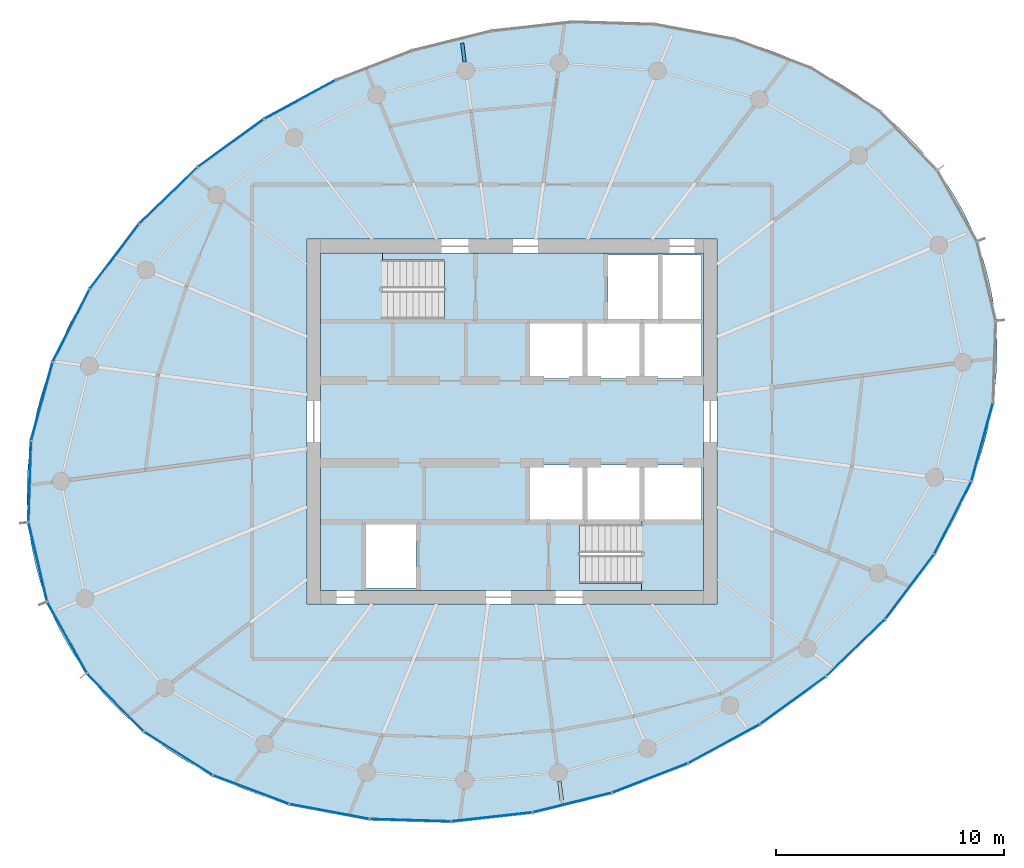
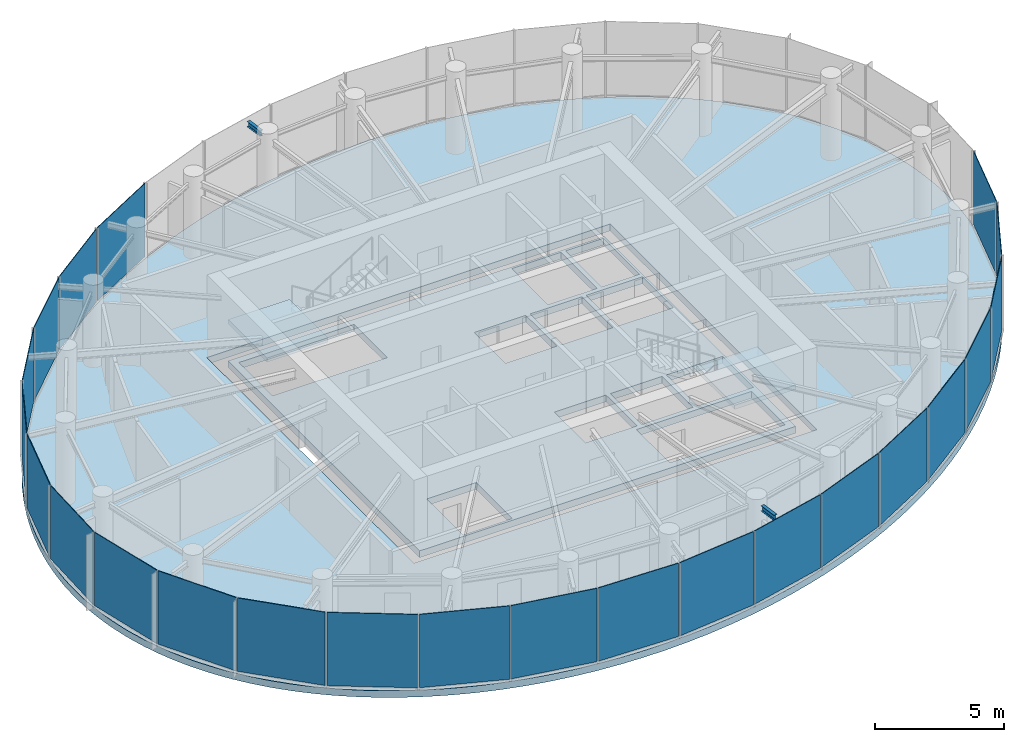
# One storey, part 7 of 13: 23 plates, 4 slabs, 2 beams, 7 elements without a shape of their own.
"""IFC4 building model written with IfcOpenShell, lengths in metres."""

from ifc_helpers import new_model, si_unit, direction, frame, origin, origin_2d, place, context, subcontext, project, spatial, line, indexed_curve, rectangle, i_section, outline, extrude, source, transform, mapped, material, layer, layer_set, material_profile, profile_set, type_object, element, aggregate, save


model = new_model("IFC4")

# Units and contexts
model_context = context("Model", 3, precision=1e-05, world=origin(), true_north=direction((0.0, 1.0)))
body_context = subcontext(model_context, "Body", "Model", "MODEL_VIEW")
ifc_project = project(units=[si_unit("LENGTHUNIT", "METRE"), si_unit("AREAUNIT", "SQUARE_METRE"), si_unit("VOLUMEUNIT", "CUBIC_METRE"), si_unit("PLANEANGLEUNIT", "RADIAN"), si_unit("MASSUNIT", "GRAM", prefix="KILO")], contexts=[model_context])

# Site, building, storey
site_placement = place(None, origin())
site = spatial("IfcSite", under=ifc_project, at=site_placement, CompositionType="ELEMENT")
building_placement = place(site_placement, origin())
building = spatial("IfcBuilding", under=site, at=building_placement, Name="Spindrift Exchange Tower", CompositionType="ELEMENT")
storey_placement = place(building_placement, frame((0.0, 0.0, 242.300048828125)))
storey = spatial("IfcBuildingStorey", under=building, at=storey_placement, Name="L59", CompositionType="ELEMENT", Elevation=242.300048828125)

# Beams
ifc_material_1 = material(Name="Steel Grade 300", Category="steel")
ifc_material_profile = material_profile(ifc_material_1, i_section(OverallWidth=0.14599609375, OverallDepth=0.251953125, WebThickness=0.006103515625, FlangeThickness=0.008544921875, FilletRadius=0.011962890625, at=origin_2d()), Name="250UB31.4")
ifc_profile_set = profile_set([ifc_material_profile], Name="Steel Grade 300")
beam_type = type_object("IfcBeamType", Name="Cantilever Beam 250UB31.4 Steel Grade 300", PredefinedType="BEAM", material=ifc_profile_set)
shared_shape_1 = source(origin(), body_context, "Body", "SweptSolid", [
    extrude(i_section(OverallWidth=0.14599609375, OverallDepth=0.251953125, WebThickness=0.006103515625, FlangeThickness=0.008544921875, FilletRadius=0.011962890625, at=origin_2d()), origin(), (0.0, 0.0, 1.0), 0.82958984375),
])
for number, where, z_axis, x_axis, name in (
    (1, (49.923583984375, 63.772705078125, 3.453857421875), (-0.130660044583, 0.991427230184, 0.0), (-0.991427230184, -0.130660044583, 0.0), "L59 cantilever beam R07T"),
    (2, (54.076416015625, 32.227294921875, 3.453857421875), (0.130660044583, -0.991427230184, 0.0), (0.991427230184, 0.130660044583, 0.0), "L59 cantilever beam R19T"),
):
    element("IfcBeam", number, at=place(storey_placement, frame(where, z_axis=z_axis, x_axis=x_axis)), inside=storey, type_object=beam_type, Name=name, PredefinedType="BEAM", context=body_context, shape_type="MappedRepresentation", body=[
        mapped(shared_shape_1, transform((0.0, 0.0, 0.0), scale=1.0)),
    ])

# Slabs
ifc_material_2 = material(Name="Concrete 40 MPa", Category="concrete")
ifc_layer_1 = layer(ifc_material_2, 0.320068359375)
ifc_layer_set_1 = layer_set([ifc_layer_1], Name="RC Floor Slab 320 Concrete 40 MPa")
slab_type_1 = type_object("IfcSlabType", Name="RC Floor Slab 320 Concrete 40 MPa", PredefinedType="FLOOR", material=ifc_layer_set_1)
slab_1_placement = place(storey_placement, frame((0.0, 0.0, -0.320068359375)))
element("IfcSlab", 3, at=slab_1_placement, inside=storey, type_object=slab_type_1, Name="Floor slab L59", PredefinedType="FLOOR", context=body_context, shape_type="SweptSolid", body=[
    extrude(outline(indexed_curve([(72.3828125, 55.898193359375), (72.121337890625, 56.523681640625), (71.82763671875, 57.134521484375), (71.6689453125, 57.433837890625), (71.32861328125, 58.02001953125), (70.95849609375, 58.587890625), (70.762939453125, 58.86474609375), (70.35107421875, 59.40283203125), (69.9130859375, 59.920166015625), (69.6845703125, 60.170654296875), (69.210205078125, 60.65478515625), (68.96484375, 60.888427734375), (68.457763671875, 61.33837890625), (67.930908203125, 61.764892578125), (67.660400390625, 61.96923828125), (67.106689453125, 62.360107421875), (66.537109375, 62.727294921875), (66.24658203125, 62.902099609375), (65.655517578125, 63.233642578125), (65.0517578125, 63.541748046875), (64.74560546875, 63.68701171875), (64.125244140625, 63.960205078125), (63.811279296875, 64.08837890625), (63.177001953125, 64.3271484375), (62.856689453125, 64.438232421875), (62.210693359375, 64.643798828125), (61.885498046875, 64.73828125), (61.22998046875, 64.910888671875), (60.569091796875, 65.062255859375), (60.237060546875, 65.130126953125), (59.904052734375, 65.192626953125), (59.235107421875, 65.302490234375), (58.8994140625, 65.349853515625), (58.226318359375, 65.429443359375), (57.212890625, 65.51220703125), (56.197021484375, 65.552001953125), (55.180419921875, 65.5498046875), (54.164306640625, 65.506591796875), (53.151123046875, 65.423828125), (52.1416015625, 65.302001953125), (51.137451171875, 65.142333984375), (50.139892578125, 64.9453125), (49.150390625, 64.7119140625), (48.169921875, 64.44287109375), (47.52197265625, 64.243896484375), (46.87890625, 64.029296875), (45.924560546875, 63.678955078125), (44.983154296875, 63.294921875), (44.363525390625, 63.02001953125), (43.75048828125, 62.73046875), (42.8447265625, 62.2685546875), (41.956298828125, 61.774169921875), (41.08642578125, 61.24755859375), (40.23681640625, 60.689208984375), (39.408935546875, 60.098876953125), (38.6044921875, 59.477294921875), (37.824951171875, 58.824462890625), (37.072021484375, 58.14111328125), (36.34814453125, 57.42724609375), (35.655029296875, 56.68310546875), (35.21142578125, 56.1708984375), (34.995361328125, 55.90966796875), (34.783203125, 55.6455078125), (34.37109375, 55.107177734375), (34.17138671875, 54.833251953125), (33.78515625, 54.276123046875), (33.598876953125, 53.9931640625), (33.240478515625, 53.417724609375), (32.901611328125, 52.830810546875), (32.73974609375, 52.532958984375), (32.583251953125, 52.232421875), (32.286376953125, 51.622802734375), (32.146484375, 51.314208984375), (31.8837890625, 50.689453125), (31.645263671875, 50.054931640625), (31.535400390625, 49.734375), (31.335205078125, 49.086669921875), (31.16162109375, 48.431396484375), (31.015869140625, 47.76953125), (30.95361328125, 47.436279296875), (30.851806640625, 46.76611328125), (30.7802734375, 46.09228515625), (30.756103515625, 45.754150390625), (30.73193359375, 45.07666015625), (30.740478515625, 44.39892578125), (30.757080078125, 44.060546875), (30.815185546875, 43.38525390625), (30.907470703125, 42.713623046875), (30.96630859375, 42.3798828125), (31.10986328125, 41.717529296875), (31.1943359375, 41.389404296875), (31.388916015625, 40.739990234375), (31.6171875, 40.101806640625), (31.878662109375, 39.476318359375), (32.17236328125, 38.865478515625), (32.3310546875, 38.566162109375), (32.67138671875, 37.97998046875), (33.04150390625, 37.412109375), (33.237060546875, 37.13525390625), (33.64892578125, 36.59716796875), (34.0869140625, 36.079833984375), (34.3154296875, 35.829345703125), (34.789794921875, 35.34521484375), (35.03515625, 35.111572265625), (35.542236328125, 34.66162109375), (36.069091796875, 34.235107421875), (36.339599609375, 34.03076171875), (36.893310546875, 33.639892578125), (37.462890625, 33.272705078125), (37.75341796875, 33.097900390625), (38.344482421875, 32.766357421875), (38.9482421875, 32.458251953125), (39.25439453125, 32.31298828125), (39.874755859375, 32.039794921875), (40.188720703125, 31.91162109375), (40.822998046875, 31.6728515625), (41.143310546875, 31.561767578125), (41.789306640625, 31.356201171875), (42.114501953125, 31.26171875), (42.77001953125, 31.089111328125), (43.430908203125, 30.937744140625), (43.762939453125, 30.869873046875), (44.095947265625, 30.807373046875), (44.764892578125, 30.697509765625), (45.1005859375, 30.650146484375), (45.773681640625, 30.570556640625), (46.787109375, 30.48779296875), (47.802978515625, 30.447998046875), (48.819580078125, 30.4501953125), (49.835693359375, 30.493408203125), (50.848876953125, 30.576171875), (51.8583984375, 30.697998046875), (52.862548828125, 30.857666015625), (53.860107421875, 31.0546875), (54.849609375, 31.2880859375), (55.830078125, 31.55712890625), (56.47802734375, 31.756103515625), (57.12109375, 31.970703125), (58.075439453125, 32.321044921875), (59.016845703125, 32.705078125), (59.636474609375, 32.97998046875), (60.24951171875, 33.26953125), (61.1552734375, 33.7314453125), (62.043701171875, 34.225830078125), (62.91357421875, 34.75244140625), (63.76318359375, 35.310791015625), (64.591064453125, 35.901123046875), (65.3955078125, 36.522705078125), (66.175048828125, 37.175537109375), (66.927978515625, 37.85888671875), (67.65185546875, 38.57275390625), (68.344970703125, 39.31689453125), (68.78857421875, 39.8291015625), (69.004638671875, 40.09033203125), (69.216796875, 40.3544921875), (69.62890625, 40.892822265625), (69.82861328125, 41.166748046875), (70.21484375, 41.723876953125), (70.401123046875, 42.0068359375), (70.759521484375, 42.582275390625), (71.098388671875, 43.169189453125), (71.26025390625, 43.467041015625), (71.416748046875, 43.767578125), (71.713623046875, 44.377197265625), (71.853515625, 44.685791015625), (72.1162109375, 45.310546875), (72.354736328125, 45.945068359375), (72.464599609375, 46.265625), (72.664794921875, 46.913330078125), (72.83837890625, 47.568603515625), (72.984130859375, 48.23046875), (73.04638671875, 48.563720703125), (73.148193359375, 49.23388671875), (73.2197265625, 49.90771484375), (73.243896484375, 50.245849609375), (73.26806640625, 50.92333984375), (73.259521484375, 51.60107421875), (73.242919921875, 51.939453125), (73.184814453125, 52.61474609375), (73.092529296875, 53.286376953125), (73.03369140625, 53.6201171875), (72.89013671875, 54.282470703125), (72.8056640625, 54.610595703125), (72.611083984375, 55.260009765625)], segments=[line(1, 2, 3, 4, 5, 6, 7, 8, 9, 10, 11, 12, 13, 14, 15, 16, 17, 18, 19, 20, 21, 22, 23, 24, 25, 26, 27, 28, 29, 30, 31, 32, 33, 34, 35, 36, 37, 38, 39, 40, 41, 42, 43, 44, 45, 46, 47, 48, 49, 50, 51, 52, 53, 54, 55, 56, 57, 58, 59, 60, 61, 62, 63, 64, 65, 66, 67, 68, 69, 70, 71, 72, 73, 74, 75, 76, 77, 78, 79, 80, 81, 82, 83, 84, 85, 86, 87, 88, 89, 90, 91, 92, 93, 94, 95, 96, 97, 98, 99, 100, 101, 102, 103, 104, 105, 106, 107, 108, 109, 110, 111, 112, 113, 114, 115, 116, 117, 118, 119, 120, 121, 122, 123, 124, 125, 126, 127, 128, 129, 130, 131, 132, 133, 134, 135, 136, 137, 138, 139, 140, 141, 142, 143, 144, 145, 146, 147, 148, 149, 150, 151, 152, 153, 154, 155, 156, 157, 158, 159, 160, 161, 162, 163, 164, 165, 166, 167, 168, 169, 170, 171, 172, 173, 174, 175, 176, 177, 178, 179, 180, 181, 182, 183, 184, 1)], self_intersect=False), holes=[indexed_curve([(43.0, 40.0), (61.0, 40.0), (61.0, 56.0), (43.0, 56.0)], segments=[line(1, 2, 3, 4, 1)], self_intersect=False)]), origin(), (0.0, 0.0, 1.0), 0.320068359375),
])
ifc_material_3 = material(Name="Concrete 50 MPa", Category="concrete")
ifc_layer_2 = layer(ifc_material_3, 0.320068359375)
ifc_layer_set_2 = layer_set([ifc_layer_2], Name="SL-CORE-FLOOR-320")
slab_type_2 = type_object("IfcSlabType", Name="SL-CORE-FLOOR-320", PredefinedType="FLOOR", material=ifc_layer_set_2)
slab_2_placement = place(storey_placement, frame((0.0, 0.0, -0.320068359375)))
element("IfcSlab", 4, at=slab_2_placement, inside=storey, type_object=slab_type_2, Name="L59 Core floor slab", PredefinedType="FLOOR", context=body_context, shape_type="SweptSolid", body=[
    extrude(outline(indexed_curve([(43.60009765625, 40.60009765625), (43.60009765625, 55.39990234375), (60.39990234375, 55.39990234375), (60.39990234375, 40.60009765625)], segments=[line(1, 2, 3, 4, 1)], self_intersect=False), holes=[indexed_curve([(45.60009765625, 43.5), (45.60009765625, 40.699951171875), (47.800048828125, 40.699951171875), (47.800048828125, 43.5)], segments=[line(1, 2, 3, 4, 1)], self_intersect=False), indexed_curve([(52.800048828125, 46.10009765625), (52.800048828125, 43.699951171875), (55.10009765625, 43.699951171875), (55.10009765625, 46.10009765625)], segments=[line(1, 2, 3, 4, 1)], self_intersect=False), indexed_curve([(55.300048828125, 46.10009765625), (55.300048828125, 43.699951171875), (57.60009765625, 43.699951171875), (57.60009765625, 46.10009765625)], segments=[line(1, 2, 3, 4, 1)], self_intersect=False), indexed_curve([(55.10009765625, 52.300048828125), (52.800048828125, 52.300048828125), (52.800048828125, 49.89990234375), (55.10009765625, 49.89990234375)], segments=[line(1, 2, 3, 4, 1)], self_intersect=False), indexed_curve([(57.60009765625, 52.300048828125), (55.300048828125, 52.300048828125), (55.300048828125, 49.89990234375), (57.60009765625, 49.89990234375)], segments=[line(1, 2, 3, 4, 1)], self_intersect=False), indexed_curve([(43.906005859375, 52.506103515625), (49.0439453125, 52.506103515625), (49.0439453125, 55.093994140625), (43.906005859375, 55.093994140625)], segments=[line(1, 2, 3, 4, 1)], self_intersect=False), indexed_curve([(60.093994140625, 40.906005859375), (60.093994140625, 43.493896484375), (54.9560546875, 43.493896484375), (54.9560546875, 40.906005859375)], segments=[line(1, 2, 3, 4, 1)], self_intersect=False), indexed_curve([(60.300048828125, 46.10009765625), (57.800048828125, 46.10009765625), (57.800048828125, 43.699951171875), (60.300048828125, 43.699951171875)], segments=[line(1, 2, 3, 4, 1)], self_intersect=False), indexed_curve([(57.800048828125, 52.300048828125), (57.800048828125, 49.89990234375), (60.300048828125, 49.89990234375), (60.300048828125, 52.300048828125)], segments=[line(1, 2, 3, 4, 1)], self_intersect=False), indexed_curve([(58.39990234375, 55.300048828125), (56.199951171875, 55.300048828125), (56.199951171875, 52.5), (58.39990234375, 52.5)], segments=[line(1, 2, 3, 4, 1)], self_intersect=False), indexed_curve([(60.300048828125, 55.300048828125), (58.60009765625, 55.300048828125), (58.60009765625, 52.5), (60.300048828125, 52.5)], segments=[line(1, 2, 3, 4, 1)], self_intersect=False)]), origin(), (0.0, 0.0, 1.0), 0.320068359375),
])

# Stair, slab
stair_type = type_object("IfcStairType", Name="ST-1250-R177", PredefinedType="HALF_TURN_STAIR", material=ifc_material_3)
stair_1_placement = place(storey_placement, origin())
stair_1 = element("IfcStair", 5, at=stair_1_placement, inside=storey, type_object=stair_type, Name="L59 Exit stair ST1", PredefinedType="HALF_TURN_STAIR")
ifc_layer_3 = layer(ifc_material_3, 0.199951171875)
ifc_layer_set_3 = layer_set([ifc_layer_3], Name="SL-LANDING")
slab_type_3 = type_object("IfcSlabType", Name="SL-LANDING", PredefinedType="LANDING", material=ifc_layer_set_3)
slab_3_placement = place(storey_placement, frame((0.0, 0.0, 1.75)))
slab_3 = element("IfcSlab", 6, at=slab_3_placement, type_object=slab_type_3, Name="ST1 landing 1", PredefinedType="LANDING", context=body_context, shape_type="SweptSolid", body=[
    extrude(outline(indexed_curve([(46.330078125, 52.39990234375), (43.60009765625, 52.39990234375), (43.60009765625, 55.39990234375), (46.330078125, 55.39990234375)], segments=[line(1, 2, 3, 4, 1)], self_intersect=False)), origin(), (0.0, 0.0, 1.0), 0.199951171875),
])
aggregate(stair_1, [slab_3])

stair_2_placement = place(storey_placement, origin())
stair_2 = element("IfcStair", 7, at=stair_2_placement, inside=storey, type_object=stair_type, Name="L59 Exit stair ST2", PredefinedType="HALF_TURN_STAIR")
slab_4_placement = place(storey_placement, frame((0.0, 0.0, 1.75)))
slab_4 = element("IfcSlab", 8, at=slab_4_placement, type_object=slab_type_3, Name="ST2 landing 1", PredefinedType="LANDING", context=body_context, shape_type="SweptSolid", body=[
    extrude(outline(indexed_curve([(57.669921875, 43.60009765625), (60.39990234375, 43.60009765625), (60.39990234375, 40.60009765625), (57.669921875, 40.60009765625)], segments=[line(1, 2, 3, 4, 1)], self_intersect=False)), origin(), (0.0, 0.0, 1.0), 0.199951171875),
])
aggregate(stair_2, [slab_4])

# Curtain wall, plate
ifc_material_4 = material(Name="Fritted laminated glass with bronze frame", Category="glass")
ifc_layer_4 = layer(ifc_material_4, 0.159912109375)
ifc_layer_set_4 = layer_set([ifc_layer_4], Name="ZONE 5 BRONZE FRITTED WALL")
curtain_wall_type = type_object("IfcCurtainWallType", Name="ZONE 5 BRONZE FRITTED WALL", PredefinedType="NOTDEFINED", material=ifc_layer_set_4)
curtain_wall_1_placement = place(storey_placement, origin())
curtain_wall_1 = element("IfcCurtainWall", 9, at=curtain_wall_1_placement, inside=storey, type_object=curtain_wall_type, Name="L59 Zone 5 Bronze Fritted Wall run 5", PredefinedType="NOTDEFINED")
ifc_material_5 = material(Name="Bronze fritted laminated glass, open frit", Category="glass")
ifc_layer_5 = layer(ifc_material_5, 0.028076171875)
ifc_layer_set_5 = layer_set([ifc_layer_5], Name="ZONE 5 BRONZE FRITTED WALL PANEL OPEN FRIT 360")
plate_type_1 = type_object("IfcPlateType", Name="ZONE 5 BRONZE FRITTED WALL PANEL OPEN FRIT 360", PredefinedType="CURTAIN_PANEL", material=ifc_layer_set_5)
shared_shape_2 = source(origin(), body_context, "Body", "SweptSolid", [
    extrude(rectangle(XDim=3.5263671875, YDim=0.028076171875, at=origin_2d()), origin(), (0.0, 0.0, 1.0), 3.4599609375),
])
plate_1_placement = place(storey_placement, frame((61.303466796875, 33.87646484375, 0.119873046875), z_axis=(0.0, 0.0, 1.0), x_axis=(0.87909511824, 0.476646381593, 0.0)))
plate_1 = element("IfcPlate", 10, at=plate_1_placement, type_object=plate_type_1, Name="L59 panel CW-5.27", PredefinedType="CURTAIN_PANEL", context=body_context, shape_type="MappedRepresentation", body=[
    mapped(shared_shape_2, transform((0.0, 0.0, 0.0), scale=1.0)),
])

curtain_wall_2_placement = place(storey_placement, origin())
curtain_wall_2 = element("IfcCurtainWall", 11, at=curtain_wall_2_placement, inside=storey, type_object=curtain_wall_type, Name="L59 Zone 5 Bronze Fritted Wall run 2", PredefinedType="NOTDEFINED")
ifc_layer_6 = layer(ifc_material_5, 0.028076171875)
ifc_layer_set_6 = layer_set([ifc_layer_6], Name="ZONE 5 BRONZE FRITTED WALL PANEL OPEN FRIT 600")
plate_type_2 = type_object("IfcPlateType", Name="ZONE 5 BRONZE FRITTED WALL PANEL OPEN FRIT 600", PredefinedType="CURTAIN_PANEL", material=ifc_layer_set_6)
shared_shape_3 = source(origin(), body_context, "Body", "SweptSolid", [
    extrude(rectangle(XDim=3.5263671875, YDim=0.028076171875, at=origin_2d()), origin(), (0.0, 0.0, 1.0), 3.4599609375),
])
plate_2_placement = place(storey_placement, frame((42.696533203125, 62.12353515625, 0.119873046875), z_axis=(0.0, 0.0, 1.0), x_axis=(-0.87909511824, -0.476646381593, 0.0)))
plate_2 = element("IfcPlate", 12, at=plate_2_placement, type_object=plate_type_2, Name="L59 panel CW-5.10", PredefinedType="CURTAIN_PANEL", context=body_context, shape_type="MappedRepresentation", body=[
    mapped(shared_shape_3, transform((0.0, 0.0, 0.0), scale=1.0)),
])

# Plate
plate_3_placement = place(storey_placement, frame((58.05517578125, 32.373779296875, 0.119873046875), z_axis=(0.0, 0.0, 1.0), x_axis=(0.932444930423, 0.361312125079, 0.0)))
plate_3 = element("IfcPlate", 13, at=plate_3_placement, type_object=plate_type_2, Name="L59 panel CW-5.26", PredefinedType="CURTAIN_PANEL", context=body_context, shape_type="MappedRepresentation", body=[
    mapped(shared_shape_3, transform((0.0, 0.0, 0.0), scale=1.0)),
])

shared_shape_4 = source(origin(), body_context, "Body", "SweptSolid", [
    extrude(rectangle(XDim=3.526123046875, YDim=0.028076171875, at=origin_2d()), origin(), (0.0, 0.0, 1.0), 3.4599609375),
])
plate_4_placement = place(storey_placement, frame((54.642333984375, 31.29541015625, 0.119873046875), z_axis=(0.0, 0.0, 1.0), x_axis=(0.970738279986, 0.240139942055, 0.0)))
plate_4 = element("IfcPlate", 14, at=plate_4_placement, type_object=plate_type_2, Name="L59 panel CW-5.25", PredefinedType="CURTAIN_PANEL", context=body_context, shape_type="MappedRepresentation", body=[
    mapped(shared_shape_4, transform((0.0, 0.0, 0.0), scale=1.0)),
])

shared_shape_5 = source(origin(), body_context, "Body", "SweptSolid", [
    extrude(rectangle(XDim=3.525390625, YDim=0.028076171875, at=origin_2d()), origin(), (0.0, 0.0, 1.0), 3.4599609375),
])
plate_5_placement = place(storey_placement, frame((36.930419921875, 57.914794921875, 0.119873046875), z_axis=(0.0, 0.0, 1.0), x_axis=(-0.718778220827, -0.695239433048, 0.0)))
plate_5 = element("IfcPlate", 15, at=plate_5_placement, type_object=plate_type_2, Name="L59 panel CW-5.12", PredefinedType="CURTAIN_PANEL", context=body_context, shape_type="MappedRepresentation", body=[
    mapped(shared_shape_5, transform((0.0, 0.0, 0.0), scale=1.0)),
])

# Curtain wall, plates
curtain_wall_3_placement = place(storey_placement, origin())
curtain_wall_3 = element("IfcCurtainWall", 16, at=curtain_wall_3_placement, inside=storey, type_object=curtain_wall_type, Name="L59 Zone 5 Bronze Fritted Wall run 3", PredefinedType="NOTDEFINED")
ifc_layer_7 = layer(ifc_material_5, 0.028076171875)
ifc_layer_set_7 = layer_set([ifc_layer_7], Name="ZONE 5 BRONZE FRITTED WALL PANEL OPEN FRIT 480")
plate_type_3 = type_object("IfcPlateType", Name="ZONE 5 BRONZE FRITTED WALL PANEL OPEN FRIT 480", PredefinedType="CURTAIN_PANEL", material=ifc_layer_set_7)
shared_shape_6 = source(origin(), body_context, "Body", "SweptSolid", [
    extrude(rectangle(XDim=3.5234375, YDim=0.028076171875, at=origin_2d()), origin(), (0.0, 0.0, 1.0), 3.4599609375),
])
plate_6_placement = place(storey_placement, frame((32.667724609375, 52.2119140625, 0.119873046875), z_axis=(0.0, 0.0, 1.0), x_axis=(-0.453842759023, -0.891081786416, 0.0)))
plate_6 = element("IfcPlate", 17, at=plate_6_placement, type_object=plate_type_3, Name="L59 panel CW-5.14", PredefinedType="CURTAIN_PANEL", context=body_context, shape_type="MappedRepresentation", body=[
    mapped(shared_shape_6, transform((0.0, 0.0, 0.0), scale=1.0)),
])
shared_shape_7 = source(origin(), body_context, "Body", "SweptSolid", [
    extrude(rectangle(XDim=3.517578125, YDim=0.028076171875, at=origin_2d()), origin(), (0.0, 0.0, 1.0), 3.4599609375),
])
plate_7_placement = place(storey_placement, frame((31.2060546875, 41.842529296875, 0.119873046875), z_axis=(0.0, 0.0, 1.0), x_axis=(0.229959714774, -0.973200148778, 0.0)))
plate_7 = element("IfcPlate", 18, at=plate_7_placement, type_object=plate_type_3, Name="L59 panel CW-5.17", PredefinedType="CURTAIN_PANEL", context=body_context, shape_type="MappedRepresentation", body=[
    mapped(shared_shape_7, transform((0.0, 0.0, 0.0), scale=1.0)),
])
shared_shape_8 = source(origin(), body_context, "Body", "SweptSolid", [
    extrude(rectangle(XDim=3.519287109375, YDim=0.028076171875, at=origin_2d()), origin(), (0.0, 0.0, 1.0), 3.4599609375),
])
plate_8_placement = place(storey_placement, frame((30.851318359375, 45.372314453125, 0.119873046875), z_axis=(0.0, 0.0, 1.0), x_axis=(-0.031738717372, -0.999496200003, 0.0)))
plate_8 = element("IfcPlate", 19, at=plate_8_placement, type_object=plate_type_1, Name="L59 panel CW-5.16", PredefinedType="CURTAIN_PANEL", context=body_context, shape_type="MappedRepresentation", body=[
    mapped(shared_shape_8, transform((0.0, 0.0, 0.0), scale=1.0)),
])

# Curtain wall, plate
curtain_wall_4_placement = place(storey_placement, origin())
curtain_wall_4 = element("IfcCurtainWall", 20, at=curtain_wall_4_placement, inside=storey, type_object=curtain_wall_type, Name="L59 Zone 5 Bronze Fritted Wall run 4", PredefinedType="NOTDEFINED")
plate_9_placement = place(storey_placement, frame((34.6025390625, 35.69140625, 0.119873046875), z_axis=(0.0, 0.0, 1.0), x_axis=(0.696921069697, -0.717147838742, 0.0)))
plate_9 = element("IfcPlate", 21, at=plate_9_placement, type_object=plate_type_1, Name="L59 panel CW-5.19", PredefinedType="CURTAIN_PANEL", context=body_context, shape_type="MappedRepresentation", body=[
    mapped(shared_shape_8, transform((0.0, 0.0, 0.0), scale=1.0)),
])

# Curtain wall, plates
curtain_wall_5_placement = place(storey_placement, origin())
curtain_wall_5 = element("IfcCurtainWall", 22, at=curtain_wall_5_placement, inside=storey, type_object=curtain_wall_type, Name="L59 Zone 5 Bronze Fritted Wall run 6", PredefinedType="NOTDEFINED")
shared_shape_9 = source(origin(), body_context, "Body", "SweptSolid", [
    extrude(rectangle(XDim=3.521484375, YDim=0.028076171875, at=origin_2d()), origin(), (0.0, 0.0, 1.0), 3.4599609375),
])
plate_10_placement = place(storey_placement, frame((72.61865234375, 47.112060546875, 0.119873046875), z_axis=(0.0, 0.0, 1.0), x_axis=(0.264213094555, 0.964464328353, 0.0)))
plate_10 = element("IfcPlate", 23, at=plate_10_placement, type_object=plate_type_2, Name="L59 panel CW-5.32", PredefinedType="CURTAIN_PANEL", context=body_context, shape_type="MappedRepresentation", body=[
    mapped(shared_shape_9, transform((0.0, 0.0, 0.0), scale=1.0)),
])
shared_shape_10 = source(origin(), body_context, "Body", "SweptSolid", [
    extrude(rectangle(XDim=3.5234375, YDim=0.028076171875, at=origin_2d()), origin(), (0.0, 0.0, 1.0), 3.4599609375),
])
plate_11_placement = place(storey_placement, frame((71.332275390625, 43.7880859375, 0.119873046875), z_axis=(0.0, 0.0, 1.0), x_axis=(0.453842759023, 0.891081786416, 0.0)))
plate_11 = element("IfcPlate", 24, at=plate_11_placement, type_object=plate_type_1, Name="L59 panel CW-5.31", PredefinedType="CURTAIN_PANEL", context=body_context, shape_type="MappedRepresentation", body=[
    mapped(shared_shape_10, transform((0.0, 0.0, 0.0), scale=1.0)),
])
aggregate(curtain_wall_5, [plate_11, plate_10])

# Plate
shared_shape_11 = source(origin(), body_context, "Body", "SweptSolid", [
    extrude(rectangle(XDim=3.525390625, YDim=0.028076171875, at=origin_2d()), origin(), (0.0, 0.0, 1.0), 3.4599609375),
])
plate_12_placement = place(storey_placement, frame((47.5458984375, 30.52001953125, 0.119873046875), z_axis=(0.0, 0.0, 1.0), x_axis=(0.999567849035, -0.029395836038, 0.0)))
plate_12 = element("IfcPlate", 25, at=plate_12_placement, type_object=plate_type_3, Name="L59 panel CW-5.23", PredefinedType="CURTAIN_PANEL", context=body_context, shape_type="MappedRepresentation", body=[
    mapped(shared_shape_11, transform((0.0, 0.0, 0.0), scale=1.0)),
])

plate_13_placement = place(storey_placement, frame((67.069580078125, 38.085205078125, 0.119873046875), z_axis=(0.0, 0.0, 1.0), x_axis=(0.718778220827, 0.695239433048, 0.0)))
plate_13 = element("IfcPlate", 26, at=plate_13_placement, type_object=plate_type_3, Name="L59 panel CW-5.29", PredefinedType="CURTAIN_PANEL", context=body_context, shape_type="MappedRepresentation", body=[
    mapped(shared_shape_11, transform((0.0, 0.0, 0.0), scale=1.0)),
])

shared_shape_12 = source(origin(), body_context, "Body", "SweptSolid", [
    extrude(rectangle(XDim=3.52587890625, YDim=0.028076171875, at=origin_2d()), origin(), (0.0, 0.0, 1.0), 3.4599609375),
])
plate_14_placement = place(storey_placement, frame((39.669677734375, 60.215087890625, 0.119873046875), z_axis=(0.0, 0.0, 1.0), x_axis=(-0.809026227184, -0.587772544211, 0.0)))
plate_14 = element("IfcPlate", 27, at=plate_14_placement, type_object=plate_type_2, Name="L59 panel CW-5.11", PredefinedType="CURTAIN_PANEL", context=body_context, shape_type="MappedRepresentation", body=[
    mapped(shared_shape_12, transform((0.0, 0.0, 0.0), scale=1.0)),
])

aggregate(curtain_wall_2, [plate_2, plate_14, plate_5])

shared_shape_13 = source(origin(), body_context, "Body", "SweptSolid", [
    extrude(rectangle(XDim=3.52490234375, YDim=0.028076171875, at=origin_2d()), origin(), (0.0, 0.0, 1.0), 3.4599609375),
])
plate_15_placement = place(storey_placement, frame((34.561279296875, 55.23828125, 0.119873046875), z_axis=(0.0, 0.0, 1.0), x_axis=(-0.602857133679, -0.797849156402, 0.0)))
plate_15 = element("IfcPlate", 28, at=plate_15_placement, type_object=plate_type_1, Name="L59 panel CW-5.13", PredefinedType="CURTAIN_PANEL", context=body_context, shape_type="MappedRepresentation", body=[
    mapped(shared_shape_13, transform((0.0, 0.0, 0.0), scale=1.0)),
])

shared_shape_14 = source(origin(), body_context, "Body", "SweptSolid", [
    extrude(rectangle(XDim=3.521484375, YDim=0.028076171875, at=origin_2d()), origin(), (0.0, 0.0, 1.0), 3.4599609375),
])
plate_16_placement = place(storey_placement, frame((31.38134765625, 48.887939453125, 0.119873046875), z_axis=(0.0, 0.0, 1.0), x_axis=(-0.264213094555, -0.964464328353, 0.0)))
plate_16 = element("IfcPlate", 29, at=plate_16_placement, type_object=plate_type_3, Name="L59 panel CW-5.15", PredefinedType="CURTAIN_PANEL", context=body_context, shape_type="MappedRepresentation", body=[
    mapped(shared_shape_14, transform((0.0, 0.0, 0.0), scale=1.0)),
])

plate_17_placement = place(storey_placement, frame((37.36328125, 33.45068359375, 0.119873046875), z_axis=(0.0, 0.0, 1.0), x_axis=(0.845097652087, -0.534611969971, 0.0)))
plate_17 = element("IfcPlate", 30, at=plate_17_placement, type_object=plate_type_3, Name="L59 panel CW-5.20", PredefinedType="CURTAIN_PANEL", context=body_context, shape_type="MappedRepresentation", body=[
    mapped(shared_shape_14, transform((0.0, 0.0, 0.0), scale=1.0)),
])

shared_shape_15 = source(origin(), body_context, "Body", "SweptSolid", [
    extrude(rectangle(XDim=3.517578125, YDim=0.028076171875, at=origin_2d()), origin(), (0.0, 0.0, 1.0), 3.4599609375),
])
plate_18_placement = place(storey_placement, frame((32.486328125, 38.538330078125, 0.119873046875), z_axis=(0.0, 0.0, 1.0), x_axis=(0.485842721639, -0.87404625154, 0.0)))
plate_18 = element("IfcPlate", 31, at=plate_18_placement, type_object=plate_type_2, Name="L59 panel CW-5.18", PredefinedType="CURTAIN_PANEL", context=body_context, shape_type="MappedRepresentation", body=[
    mapped(shared_shape_15, transform((0.0, 0.0, 0.0), scale=1.0)),
])

aggregate(curtain_wall_3, [plate_15, plate_6, plate_16, plate_8, plate_7, plate_18])

shared_shape_16 = source(origin(), body_context, "Body", "SweptSolid", [
    extrude(rectangle(XDim=3.5234375, YDim=0.028076171875, at=origin_2d()), origin(), (0.0, 0.0, 1.0), 3.4599609375),
])
plate_19_placement = place(storey_placement, frame((40.55322265625, 31.861572265625, 0.119873046875), z_axis=(0.0, 0.0, 1.0), x_axis=(0.935776142119, -0.35259468493, 0.0)))
plate_19 = element("IfcPlate", 32, at=plate_19_placement, type_object=plate_type_2, Name="L59 panel CW-5.21", PredefinedType="CURTAIN_PANEL", context=body_context, shape_type="MappedRepresentation", body=[
    mapped(shared_shape_16, transform((0.0, 0.0, 0.0), scale=1.0)),
])

shared_shape_17 = source(origin(), body_context, "Body", "SweptSolid", [
    extrude(rectangle(XDim=3.524658203125, YDim=0.028076171875, at=origin_2d()), origin(), (0.0, 0.0, 1.0), 3.4599609375),
])
plate_20_placement = place(storey_placement, frame((43.99169921875, 30.901123046875, 0.119873046875), z_axis=(0.0, 0.0, 1.0), x_axis=(0.983050095199, -0.183337149342, 0.0)))
plate_20 = element("IfcPlate", 33, at=plate_20_placement, type_object=plate_type_3, Name="L59 panel CW-5.22", PredefinedType="CURTAIN_PANEL", context=body_context, shape_type="MappedRepresentation", body=[
    mapped(shared_shape_17, transform((0.0, 0.0, 0.0), scale=1.0)),
])

shared_shape_18 = source(origin(), body_context, "Body", "SweptSolid", [
    extrude(rectangle(XDim=3.52587890625, YDim=0.028076171875, at=origin_2d()), origin(), (0.0, 0.0, 1.0), 3.4599609375),
])
plate_21_placement = place(storey_placement, frame((51.11962890625, 30.666015625, 0.119873046875), z_axis=(0.0, 0.0, 1.0), x_axis=(0.993837374063, 0.110847976593, 0.0)))
plate_21 = element("IfcPlate", 34, at=plate_21_placement, type_object=plate_type_1, Name="L59 panel CW-5.24", PredefinedType="CURTAIN_PANEL", context=body_context, shape_type="MappedRepresentation", body=[
    mapped(shared_shape_18, transform((0.0, 0.0, 0.0), scale=1.0)),
])

aggregate(curtain_wall_4, [plate_9, plate_17, plate_19, plate_20, plate_12, plate_21])

plate_22_placement = place(storey_placement, frame((64.330322265625, 35.784912109375, 0.119873046875), z_axis=(0.0, 0.0, 1.0), x_axis=(0.809026227184, 0.587772544211, 0.0)))
plate_22 = element("IfcPlate", 35, at=plate_22_placement, type_object=plate_type_1, Name="L59 panel CW-5.28", PredefinedType="CURTAIN_PANEL", context=body_context, shape_type="MappedRepresentation", body=[
    mapped(shared_shape_18, transform((0.0, 0.0, 0.0), scale=1.0)),
])

shared_shape_19 = source(origin(), body_context, "Body", "SweptSolid", [
    extrude(rectangle(XDim=3.52490234375, YDim=0.028076171875, at=origin_2d()), origin(), (0.0, 0.0, 1.0), 3.4599609375),
])
plate_23_placement = place(storey_placement, frame((69.438720703125, 40.76171875, 0.119873046875), z_axis=(0.0, 0.0, 1.0), x_axis=(0.602857133679, 0.797849156402, 0.0)))
plate_23 = element("IfcPlate", 36, at=plate_23_placement, type_object=plate_type_2, Name="L59 panel CW-5.30", PredefinedType="CURTAIN_PANEL", context=body_context, shape_type="MappedRepresentation", body=[
    mapped(shared_shape_19, transform((0.0, 0.0, 0.0), scale=1.0)),
])

aggregate(curtain_wall_1, [plate_4, plate_3, plate_1, plate_22, plate_13, plate_23])

save(model, "model.ifc")
